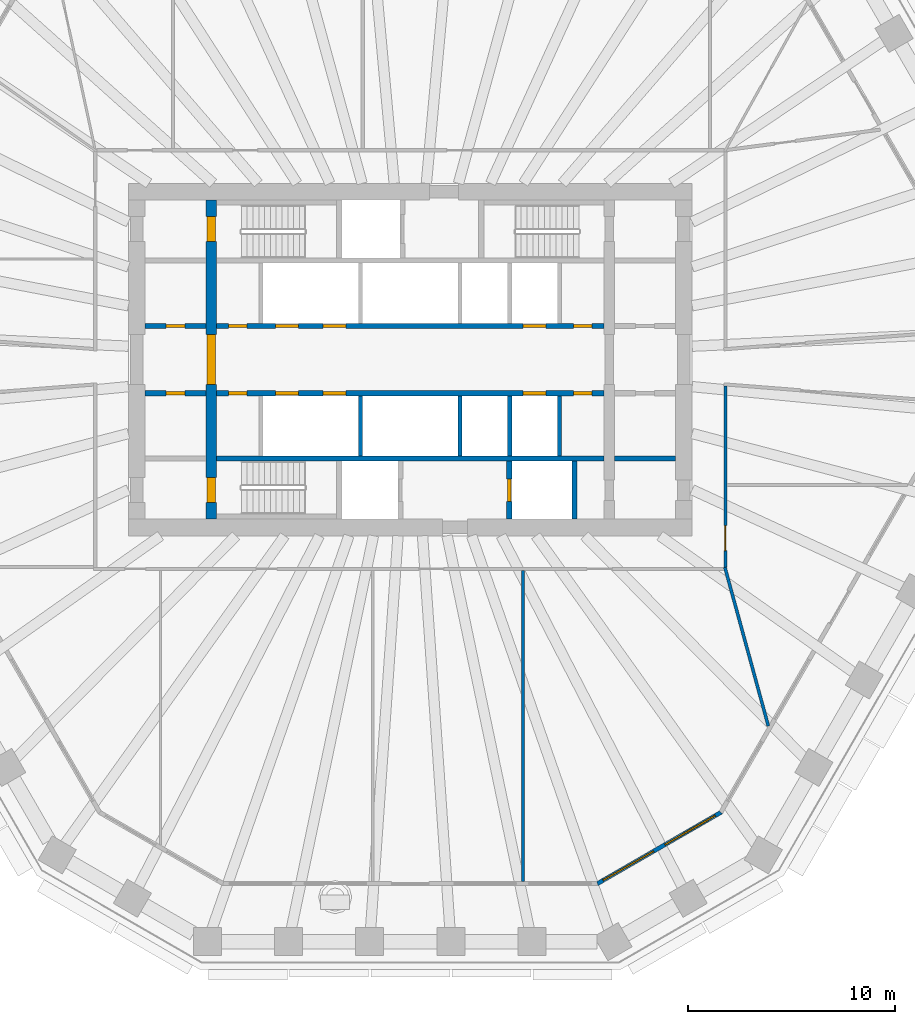
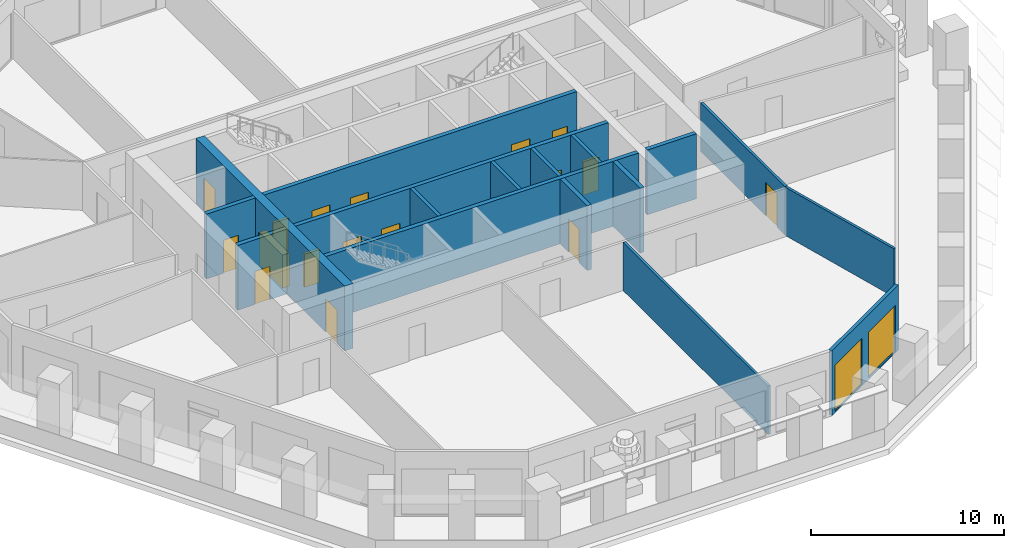
# One storey, part 4 of 12: 17 doors, 17 walls, 2 windows, 19 openings.
"""IFC4 building model written with IfcOpenShell, lengths in metres."""

from ifc_helpers import new_model, si_unit, direction, frame, frame_2d, origin, place, context, subcontext, project, spatial, polyline, rectangle, outline, extrude, material, layer, layer_set, type_object, element, fill, save


model = new_model("IFC4")

# Units and contexts
model_context = context("Model", 3, precision=1e-05, world=origin(), true_north=direction((0.0, 1.0)))
body_context = subcontext(model_context, "Body", "Model", "MODEL_VIEW")
ifc_project = project(units=[si_unit("LENGTHUNIT", "METRE"), si_unit("AREAUNIT", "SQUARE_METRE"), si_unit("VOLUMEUNIT", "CUBIC_METRE"), si_unit("PLANEANGLEUNIT", "RADIAN"), si_unit("MASSUNIT", "GRAM", prefix="KILO")], contexts=[model_context])

# Site, building, storey
site_placement = place(None, origin())
site = spatial("IfcSite", under=ifc_project, at=site_placement, CompositionType="ELEMENT")
building_placement = place(site_placement, origin())
building = spatial("IfcBuilding", under=site, at=building_placement, Name="Frailejon Research Tower", CompositionType="ELEMENT")
storey_placement = place(building_placement, frame((0.0, 0.0, 126.39990234375)))
storey = spatial("IfcBuildingStorey", under=building, at=storey_placement, Name="L27", CompositionType="ELEMENT", Elevation=126.39990234375)

# Wall, openings, doors
ifc_material_1 = material(Name="Concrete C70/85", Category="concrete")
ifc_layer_1 = layer(ifc_material_1, 0.5)
ifc_layer_set_1 = layer_set([ifc_layer_1], Name="Core shear wall 500 C70/85")
wall_type_1 = type_object("IfcWallType", Name="Core shear wall 500 C70/85", PredefinedType="SHEAR", material=ifc_layer_set_1)
wall_1_placement = place(storey_placement, frame((-9.60009765625, -7.699951171875, 0.0), z_axis=(0.0, 0.0, 1.0), x_axis=(0.0, 1.0, 0.0)))
wall_1 = element("IfcWall", 1, at=wall_1_placement, inside=storey, type_object=wall_type_1, Name="Core shear wall", PredefinedType="SHEAR", context=body_context, shape_type="SweptSolid", body=[
    extrude(rectangle(XDim=15.39990234375, YDim=0.5, at=frame_2d((7.699951171875, 0.0))), origin(), (0.0, 0.0, 1.0), 4.10009765625),
])
opening_1_placement = place(wall_1_placement, frame((6.5, 0.0, 0.0)))
opening_1 = element("IfcOpeningElement", 2, at=opening_1_placement, cuts=wall_1, Name="Opening D2", PredefinedType="OPENING", context=body_context, shape_type="SweptSolid", body=[
    extrude(rectangle(XDim=2.39990234375, YDim=2.10009765625, at=frame_2d((1.199951171875, 1.050048828125))), frame((0.0, 0.260009765625, 0.0), z_axis=(0.0, -1.0, 0.0), x_axis=(1.0, 0.0, 0.0)), (0.0, 0.0, 1.0), 0.52001953125),
])
opening_2_placement = place(wall_1_placement, frame((13.39990234375, 0.0, 0.0)))
opening_2 = element("IfcOpeningElement", 3, at=opening_2_placement, cuts=wall_1, Name="Opening D1", PredefinedType="OPENING", context=body_context, shape_type="SweptSolid", body=[
    extrude(rectangle(XDim=1.199951171875, YDim=2.10009765625, at=frame_2d((0.60009765625, 1.050048828125))), frame((0.0, 0.260009765625, 0.0), z_axis=(0.0, -1.0, 0.0), x_axis=(1.0, 0.0, 0.0)), (0.0, 0.0, 1.0), 0.52001953125),
])
opening_3_placement = place(wall_1_placement, frame((0.800048828125, 0.0, 0.0)))
opening_3 = element("IfcOpeningElement", 4, at=opening_3_placement, cuts=wall_1, Name="Opening D1", PredefinedType="OPENING", context=body_context, shape_type="SweptSolid", body=[
    extrude(rectangle(XDim=1.199951171875, YDim=2.10009765625, at=frame_2d((0.60009765625, 1.050048828125))), frame((0.0, 0.260009765625, 0.0), z_axis=(0.0, -1.0, 0.0), x_axis=(1.0, 0.0, 0.0)), (0.0, 0.0, 1.0), 0.52001953125),
])
ifc_material_2 = material(Name="Steel", Category="steel")
door_type_1 = type_object("IfcDoorType", Name="Lobby double door", OperationType="DOUBLE_DOOR_SINGLE_SWING", PredefinedType="DOOR", material=ifc_material_2)
door_1_placement = place(opening_1_placement, origin())
door_1 = element("IfcDoor", 5, at=door_1_placement, inside=storey, type_object=door_type_1, Name="Lobby door", OperationType="DOUBLE_DOOR_SINGLE_SWING", OverallHeight=2.10009765625, OverallWidth=2.39990234375, PredefinedType="DOOR", context=body_context, shape_type="SweptSolid", body=[
    extrude(rectangle(XDim=2.39990234375, YDim=2.10009765625, at=frame_2d((1.199951171875, 1.050048828125))), frame((0.0, 0.199951171875, 0.0), z_axis=(0.0, -1.0, 0.0), x_axis=(1.0, 0.0, 0.0)), (0.0, 0.0, 1.0), 0.39990234375),
])
fill(opening_1, door_1)
ifc_material_3 = material(Name="Steel", Category="steel")
door_type_2 = type_object("IfcDoorType", Name="Stair door", OperationType="SINGLE_SWING_LEFT", PredefinedType="DOOR", material=ifc_material_3)
door_2_placement = place(opening_2_placement, origin())
door_2 = element("IfcDoor", 6, at=door_2_placement, inside=storey, type_object=door_type_2, Name="Stair door ST1", OperationType="SINGLE_SWING_RIGHT", OverallHeight=2.10009765625, OverallWidth=1.199951171875, PredefinedType="DOOR", context=body_context, shape_type="SweptSolid", body=[
    extrude(rectangle(XDim=1.199951171875, YDim=2.10009765625, at=frame_2d((0.60009765625, 1.050048828125))), frame((0.0, 0.199951171875, 0.0), z_axis=(0.0, -1.0, 0.0), x_axis=(1.0, 0.0, 0.0)), (0.0, 0.0, 1.0), 0.39990234375),
])
fill(opening_2, door_2)
door_3_placement = place(opening_3_placement, origin())
door_3 = element("IfcDoor", 7, at=door_3_placement, inside=storey, type_object=door_type_2, Name="Stair door ST2", OperationType="SINGLE_SWING_RIGHT", OverallHeight=2.10009765625, OverallWidth=1.199951171875, PredefinedType="DOOR", context=body_context, shape_type="SweptSolid", body=[
    extrude(rectangle(XDim=1.199951171875, YDim=2.10009765625, at=frame_2d((0.60009765625, 1.050048828125))), frame((0.0, 0.199951171875, 0.0), z_axis=(0.0, -1.0, 0.0), x_axis=(1.0, 0.0, 0.0)), (0.0, 0.0, 1.0), 0.39990234375),
])
fill(opening_3, door_3)

# Wall, opening, door
ifc_material_4 = material(Name="Gypsum board and masonry partition", Category="masonry")
ifc_layer_2 = layer(ifc_material_4, 0.14990234375)
ifc_layer_set_2 = layer_set([ifc_layer_2], Name="Corridor wall EI 60, gypsum on steel studs 150")
wall_type_2 = type_object("IfcWallType", Name="Corridor wall EI 60, gypsum on steel studs 150", PredefinedType="PARTITIONING", material=ifc_layer_set_2)
wall_2_placement = place(storey_placement, frame((15.199951171875, -10.02490234375, 0.0), z_axis=(0.0, 0.0, 1.0), x_axis=(0.0, 1.0, 0.0)))
wall_2 = element("IfcWall", 8, at=wall_2_placement, inside=storey, type_object=wall_type_2, Name="T:IW:L27:003", PredefinedType="PARTITIONING", context=body_context, shape_type="SweptSolid", body=[
    extrude(rectangle(XDim=8.75048828125, YDim=0.14990234375, at=frame_2d((4.375244140625, 0.0))), origin(), (0.0, 0.0, 1.0), 3.050048828125),
])
opening_4_placement = place(wall_2_placement, frame((0.812744140625, 0.0, 0.0)))
opening_4 = element("IfcOpeningElement", 9, at=opening_4_placement, cuts=wall_2, Name="Opening D1661", PredefinedType="OPENING", context=body_context, shape_type="SweptSolid", body=[
    extrude(rectangle(XDim=1.199951171875, YDim=2.10009765625, at=frame_2d((0.60009765625, 1.050048828125))), frame((0.0, 0.0849609375, 0.0), z_axis=(0.0, -1.0, 0.0), x_axis=(1.0, 0.0, 0.0)), (0.0, 0.0, 1.0), 0.169921875),
])
ifc_material_5 = material(Name="Timber door leaf", Category="wood")
door_type_3 = type_object("IfcDoorType", Name="Door laboratory, timber, vision panel 1200", OperationType="NOTDEFINED", PredefinedType="DOOR", material=ifc_material_5)
door_4_placement = place(opening_4_placement, origin())
door_4 = element("IfcDoor", 10, at=door_4_placement, inside=storey, type_object=door_type_3, Name="D1661", OperationType="DOUBLE_DOOR_SINGLE_SWING", OverallHeight=2.10009765625, OverallWidth=1.199951171875, PredefinedType="DOOR", context=body_context, shape_type="SweptSolid", body=[
    extrude(rectangle(XDim=1.199951171875, YDim=2.10009765625, at=frame_2d((0.60009765625, 1.050048828125))), frame((0.0, 0.02490234375, 0.0), z_axis=(0.0, -1.0, 0.0), x_axis=(1.0, 0.0, 0.0)), (0.0, 0.0, 1.0), 0.050048828125),
])
fill(opening_4, door_4)

# Walls
ifc_material_6 = material(Name="Gypsum board and masonry partition", Category="masonry")
ifc_layer_3 = layer(ifc_material_6, 0.14990234375)
ifc_layer_set_3 = layer_set([ifc_layer_3], Name="Laboratory partition, blockwork 150")
wall_type_3 = type_object("IfcWallType", Name="Laboratory partition, blockwork 150", PredefinedType="PARTITIONING", material=ifc_layer_set_3)
wall_3_placement = place(storey_placement, frame((5.434814453125, -25.182861328125, 0.0), z_axis=(0.0, 0.0, 1.0), x_axis=(0.0, 1.0, 0.0)))
element("IfcWall", 11, at=wall_3_placement, inside=storey, type_object=wall_type_3, Name="T:IW:L27:016", PredefinedType="PARTITIONING", context=body_context, shape_type="SweptSolid", body=[
    extrude(rectangle(XDim=15.0078125, YDim=0.14990234375, at=frame_2d((7.50390625, 0.0))), origin(), (0.0, 0.0, 1.0), 3.050048828125),
])
wall_4_placement = place(storey_placement, frame((15.18017578125, -10.027587890625, 0.0), z_axis=(0.0, 0.0, 1.0), x_axis=(0.263973985393, -0.964529799973, 0.0)))
element("IfcWall", 12, at=wall_4_placement, inside=storey, type_object=wall_type_3, Name="T:IW:L27:017", PredefinedType="PARTITIONING", context=body_context, shape_type="SweptSolid", body=[
    extrude(rectangle(XDim=7.93359375, YDim=0.14990234375, at=frame_2d((3.966796875, 0.0))), origin(), (0.0, 0.0, 1.0), 3.050048828125),
])
ifc_material_7 = material(Name="Concrete C70/85", Category="concrete")
ifc_layer_4 = layer(ifc_material_7, 0.199951171875)
ifc_layer_set_4 = layer_set([ifc_layer_4], Name="Shaft wall 200 C70/85")
wall_type_4 = type_object("IfcWallType", Name="Shaft wall 200 C70/85", PredefinedType="SOLIDWALL", material=ifc_layer_set_4)
for number, where, z_axis, x_axis, name in (
    (13, (-2.39990234375, -4.64990234375, 0.0), (0.0, 0.0, 1.0), (0.0, 1.0, 0.0), "Shaft wall"),
    (14, (2.39990234375, -4.64990234375, 0.0), (0.0, 0.0, 1.0), (0.0, 1.0, 0.0), "Shaft wall"),
    (15, (4.800048828125, -4.64990234375, 0.0), (0.0, 0.0, 1.0), (0.0, 1.0, 0.0), "Shaft wall"),
    (16, (7.199951171875, -4.64990234375, 0.0), (0.0, 0.0, 1.0), (0.0, 1.0, 0.0), "Shaft wall"),
):
    element("IfcWall", number, at=place(storey_placement, frame(where, z_axis=z_axis, x_axis=x_axis)), inside=storey, type_object=wall_type_4, Name=name, PredefinedType="SOLIDWALL", context=body_context, shape_type="SweptSolid", body=[
        extrude(rectangle(XDim=2.89990234375, YDim=0.199951171875, at=frame_2d((1.449951171875, 0.0))), origin(), (0.0, 0.0, 1.0), 4.10009765625),
    ])

# Wall, opening, door
ifc_material_8 = material(Name="Concrete C70/85", Category="concrete")
ifc_layer_5 = layer(ifc_material_8, 0.25)
ifc_layer_set_5 = layer_set([ifc_layer_5], Name="Shaft wall 250 C70/85")
wall_type_5 = type_object("IfcWallType", Name="Shaft wall 250 C70/85", PredefinedType="SOLIDWALL", material=ifc_layer_set_5)
wall_5_placement = place(storey_placement, frame((-12.800048828125, 1.625, 0.0), z_axis=(0.0, 0.0, 1.0), x_axis=(1.0, 0.0, 0.0)))
wall_5 = element("IfcWall", 17, at=wall_5_placement, inside=storey, type_object=wall_type_5, Name="Shaft wall", PredefinedType="SOLIDWALL", context=body_context, shape_type="SweptSolid", body=[
    extrude(rectangle(XDim=2.949951171875, YDim=0.25, at=frame_2d((1.47509765625, 0.0))), origin(), (0.0, 0.0, 1.0), 4.10009765625),
])
opening_5_placement = place(wall_5_placement, frame((1.02490234375, 0.0, 0.0)))
opening_5 = element("IfcOpeningElement", 18, at=opening_5_placement, cuts=wall_5, Name="Opening D8", PredefinedType="OPENING", context=body_context, shape_type="SweptSolid", body=[
    extrude(rectangle(XDim=0.89990234375, YDim=2.10009765625, at=frame_2d((0.449951171875, 1.050048828125))), frame((0.0, 0.135009765625, 0.0), z_axis=(0.0, -1.0, 0.0), x_axis=(1.0, 0.0, 0.0)), (0.0, 0.0, 1.0), 0.27001953125),
])
ifc_material_9 = material(Name="Steel", Category="steel")
door_type_4 = type_object("IfcDoorType", Name="Core room door", OperationType="SINGLE_SWING_LEFT", PredefinedType="DOOR", material=ifc_material_9)
door_5_placement = place(opening_5_placement, origin())
door_5 = element("IfcDoor", 19, at=door_5_placement, inside=storey, type_object=door_type_4, Name="Room door", OperationType="SINGLE_SWING_RIGHT", OverallHeight=2.10009765625, OverallWidth=0.89990234375, PredefinedType="DOOR", context=body_context, shape_type="SweptSolid", body=[
    extrude(rectangle(XDim=0.89990234375, YDim=2.10009765625, at=frame_2d((0.449951171875, 1.050048828125))), frame((0.0, 0.074951171875, 0.0), z_axis=(0.0, -1.0, 0.0), x_axis=(1.0, 0.0, 0.0)), (0.0, 0.0, 1.0), 0.14990234375),
])
fill(opening_5, door_5)

# Wall, openings, doors
wall_6_placement = place(storey_placement, frame((-9.35009765625, 1.625, 0.0), z_axis=(0.0, 0.0, 1.0), x_axis=(1.0, 0.0, 0.0)))
wall_6 = element("IfcWall", 20, at=wall_6_placement, inside=storey, type_object=wall_type_5, Name="Shaft wall", PredefinedType="SOLIDWALL", context=body_context, shape_type="SweptSolid", body=[
    extrude(rectangle(XDim=18.7001953125, YDim=0.25, at=frame_2d((9.35009765625, 0.0))), origin(), (0.0, 0.0, 1.0), 4.10009765625),
])
opening_6_placement = place(wall_6_placement, frame((2.85009765625, 0.0, 0.0)))
opening_6 = element("IfcOpeningElement", 21, at=opening_6_placement, cuts=wall_6, Name="Opening LD", PredefinedType="OPENING", context=body_context, shape_type="SweptSolid", body=[
    extrude(rectangle(XDim=1.10009765625, YDim=2.10009765625, at=frame_2d((0.550048828125, 1.050048828125))), frame((0.0, 0.135009765625, 0.0), z_axis=(0.0, -1.0, 0.0), x_axis=(1.0, 0.0, 0.0)), (0.0, 0.0, 1.0), 0.27001953125),
])
opening_7_placement = place(wall_6_placement, frame((5.14990234375, 0.0, 0.0)))
opening_7 = element("IfcOpeningElement", 22, at=opening_7_placement, cuts=wall_6, Name="Opening LD", PredefinedType="OPENING", context=body_context, shape_type="SweptSolid", body=[
    extrude(rectangle(XDim=1.10009765625, YDim=2.10009765625, at=frame_2d((0.550048828125, 1.050048828125))), frame((0.0, 0.135009765625, 0.0), z_axis=(0.0, -1.0, 0.0), x_axis=(1.0, 0.0, 0.0)), (0.0, 0.0, 1.0), 0.27001953125),
])
opening_8_placement = place(wall_6_placement, frame((14.800048828125, 0.0, 0.0)))
opening_8 = element("IfcOpeningElement", 23, at=opening_8_placement, cuts=wall_6, Name="Opening LD", PredefinedType="OPENING", context=body_context, shape_type="SweptSolid", body=[
    extrude(rectangle(XDim=1.10009765625, YDim=2.10009765625, at=frame_2d((0.550048828125, 1.050048828125))), frame((0.0, 0.135009765625, 0.0), z_axis=(0.0, -1.0, 0.0), x_axis=(1.0, 0.0, 0.0)), (0.0, 0.0, 1.0), 0.27001953125),
])
opening_9_placement = place(wall_6_placement, frame((0.574951171875, 0.0, 0.0)))
opening_9 = element("IfcOpeningElement", 24, at=opening_9_placement, cuts=wall_6, Name="Opening D8", PredefinedType="OPENING", context=body_context, shape_type="SweptSolid", body=[
    extrude(rectangle(XDim=0.89990234375, YDim=2.10009765625, at=frame_2d((0.449951171875, 1.050048828125))), frame((0.0, 0.135009765625, 0.0), z_axis=(0.0, -1.0, 0.0), x_axis=(1.0, 0.0, 0.0)), (0.0, 0.0, 1.0), 0.27001953125),
])
opening_10_placement = place(wall_6_placement, frame((17.22509765625, 0.0, 0.0)))
opening_10 = element("IfcOpeningElement", 25, at=opening_10_placement, cuts=wall_6, Name="Opening D8", PredefinedType="OPENING", context=body_context, shape_type="SweptSolid", body=[
    extrude(rectangle(XDim=0.89990234375, YDim=2.10009765625, at=frame_2d((0.449951171875, 1.050048828125))), frame((0.0, 0.135009765625, 0.0), z_axis=(0.0, -1.0, 0.0), x_axis=(1.0, 0.0, 0.0)), (0.0, 0.0, 1.0), 0.27001953125),
])
door_6_placement = place(opening_9_placement, origin())
door_6 = element("IfcDoor", 26, at=door_6_placement, inside=storey, type_object=door_type_4, Name="Room door", OperationType="SINGLE_SWING_LEFT", OverallHeight=2.10009765625, OverallWidth=0.89990234375, PredefinedType="DOOR", context=body_context, shape_type="SweptSolid", body=[
    extrude(rectangle(XDim=0.89990234375, YDim=2.10009765625, at=frame_2d((0.449951171875, 1.050048828125))), frame((0.0, 0.074951171875, 0.0), z_axis=(0.0, -1.0, 0.0), x_axis=(1.0, 0.0, 0.0)), (0.0, 0.0, 1.0), 0.14990234375),
])
fill(opening_9, door_6)
door_7_placement = place(opening_10_placement, origin())
door_7 = element("IfcDoor", 27, at=door_7_placement, inside=storey, type_object=door_type_4, Name="Room door", OperationType="SINGLE_SWING_RIGHT", OverallHeight=2.10009765625, OverallWidth=0.89990234375, PredefinedType="DOOR", context=body_context, shape_type="SweptSolid", body=[
    extrude(rectangle(XDim=0.89990234375, YDim=2.10009765625, at=frame_2d((0.449951171875, 1.050048828125))), frame((0.0, 0.074951171875, 0.0), z_axis=(0.0, -1.0, 0.0), x_axis=(1.0, 0.0, 0.0)), (0.0, 0.0, 1.0), 0.14990234375),
])
fill(opening_10, door_7)
ifc_material_10 = material(Name="Steel", Category="steel")
door_type_5 = type_object("IfcDoorType", Name="Lift landing door", OperationType="DOUBLE_DOOR_SLIDING", PredefinedType="DOOR", material=ifc_material_10)
door_8_placement = place(opening_6_placement, origin())
door_8 = element("IfcDoor", 28, at=door_8_placement, inside=storey, type_object=door_type_5, Name="Lift landing door", OperationType="DOUBLE_DOOR_SLIDING", OverallHeight=2.10009765625, OverallWidth=1.10009765625, PredefinedType="DOOR", context=body_context, shape_type="SweptSolid", body=[
    extrude(rectangle(XDim=1.10009765625, YDim=2.10009765625, at=frame_2d((0.550048828125, 1.050048828125))), frame((0.0, 0.074951171875, 0.0), z_axis=(0.0, -1.0, 0.0), x_axis=(1.0, 0.0, 0.0)), (0.0, 0.0, 1.0), 0.14990234375),
])
fill(opening_6, door_8)
door_9_placement = place(opening_7_placement, origin())
door_9 = element("IfcDoor", 29, at=door_9_placement, inside=storey, type_object=door_type_5, Name="Lift landing door", OperationType="DOUBLE_DOOR_SLIDING", OverallHeight=2.10009765625, OverallWidth=1.10009765625, PredefinedType="DOOR", context=body_context, shape_type="SweptSolid", body=[
    extrude(rectangle(XDim=1.10009765625, YDim=2.10009765625, at=frame_2d((0.550048828125, 1.050048828125))), frame((0.0, 0.074951171875, 0.0), z_axis=(0.0, -1.0, 0.0), x_axis=(1.0, 0.0, 0.0)), (0.0, 0.0, 1.0), 0.14990234375),
])
fill(opening_7, door_9)
door_10_placement = place(opening_8_placement, origin())
door_10 = element("IfcDoor", 30, at=door_10_placement, inside=storey, type_object=door_type_5, Name="Lift landing door", OperationType="DOUBLE_DOOR_SLIDING", OverallHeight=2.10009765625, OverallWidth=1.10009765625, PredefinedType="DOOR", context=body_context, shape_type="SweptSolid", body=[
    extrude(rectangle(XDim=1.10009765625, YDim=2.10009765625, at=frame_2d((0.550048828125, 1.050048828125))), frame((0.0, 0.074951171875, 0.0), z_axis=(0.0, -1.0, 0.0), x_axis=(1.0, 0.0, 0.0)), (0.0, 0.0, 1.0), 0.14990234375),
])
fill(opening_8, door_10)

# Wall, opening, door
wall_7_placement = place(storey_placement, frame((-12.800048828125, -1.625, 0.0), z_axis=(0.0, 0.0, 1.0), x_axis=(1.0, 0.0, 0.0)))
wall_7 = element("IfcWall", 31, at=wall_7_placement, inside=storey, type_object=wall_type_5, Name="Shaft wall", PredefinedType="SOLIDWALL", context=body_context, shape_type="SweptSolid", body=[
    extrude(rectangle(XDim=2.949951171875, YDim=0.25, at=frame_2d((1.47509765625, 0.0))), origin(), (0.0, 0.0, 1.0), 4.10009765625),
])
opening_11_placement = place(wall_7_placement, frame((1.02490234375, 0.0, 0.0)))
opening_11 = element("IfcOpeningElement", 32, at=opening_11_placement, cuts=wall_7, Name="Opening D8", PredefinedType="OPENING", context=body_context, shape_type="SweptSolid", body=[
    extrude(rectangle(XDim=0.89990234375, YDim=2.10009765625, at=frame_2d((0.449951171875, 1.050048828125))), frame((0.0, 0.135009765625, 0.0), z_axis=(0.0, -1.0, 0.0), x_axis=(1.0, 0.0, 0.0)), (0.0, 0.0, 1.0), 0.27001953125),
])
door_11_placement = place(opening_11_placement, origin())
door_11 = element("IfcDoor", 33, at=door_11_placement, inside=storey, type_object=door_type_4, Name="Room door", OperationType="SINGLE_SWING_RIGHT", OverallHeight=2.10009765625, OverallWidth=0.89990234375, PredefinedType="DOOR", context=body_context, shape_type="SweptSolid", body=[
    extrude(rectangle(XDim=0.89990234375, YDim=2.10009765625, at=frame_2d((0.449951171875, 1.050048828125))), frame((0.0, 0.074951171875, 0.0), z_axis=(0.0, -1.0, 0.0), x_axis=(1.0, 0.0, 0.0)), (0.0, 0.0, 1.0), 0.14990234375),
])
fill(opening_11, door_11)

# Wall, openings, doors
wall_8_placement = place(storey_placement, frame((-9.35009765625, -1.625, 0.0), z_axis=(0.0, 0.0, 1.0), x_axis=(1.0, 0.0, 0.0)))
wall_8 = element("IfcWall", 34, at=wall_8_placement, inside=storey, type_object=wall_type_5, Name="Shaft wall", PredefinedType="SOLIDWALL", context=body_context, shape_type="SweptSolid", body=[
    extrude(rectangle(XDim=18.7001953125, YDim=0.25, at=frame_2d((9.35009765625, 0.0))), origin(), (0.0, 0.0, 1.0), 4.10009765625),
])
opening_12_placement = place(wall_8_placement, frame((2.85009765625, 0.0, 0.0)))
opening_12 = element("IfcOpeningElement", 35, at=opening_12_placement, cuts=wall_8, Name="Opening LD", PredefinedType="OPENING", context=body_context, shape_type="SweptSolid", body=[
    extrude(rectangle(XDim=1.10009765625, YDim=2.10009765625, at=frame_2d((0.550048828125, 1.050048828125))), frame((0.0, 0.135009765625, 0.0), z_axis=(0.0, -1.0, 0.0), x_axis=(1.0, 0.0, 0.0)), (0.0, 0.0, 1.0), 0.27001953125),
])
opening_13_placement = place(wall_8_placement, frame((5.14990234375, 0.0, 0.0)))
opening_13 = element("IfcOpeningElement", 36, at=opening_13_placement, cuts=wall_8, Name="Opening LD", PredefinedType="OPENING", context=body_context, shape_type="SweptSolid", body=[
    extrude(rectangle(XDim=1.10009765625, YDim=2.10009765625, at=frame_2d((0.550048828125, 1.050048828125))), frame((0.0, 0.135009765625, 0.0), z_axis=(0.0, -1.0, 0.0), x_axis=(1.0, 0.0, 0.0)), (0.0, 0.0, 1.0), 0.27001953125),
])
opening_14_placement = place(wall_8_placement, frame((14.800048828125, 0.0, 0.0)))
opening_14 = element("IfcOpeningElement", 37, at=opening_14_placement, cuts=wall_8, Name="Opening LD", PredefinedType="OPENING", context=body_context, shape_type="SweptSolid", body=[
    extrude(rectangle(XDim=1.10009765625, YDim=2.10009765625, at=frame_2d((0.550048828125, 1.050048828125))), frame((0.0, 0.135009765625, 0.0), z_axis=(0.0, -1.0, 0.0), x_axis=(1.0, 0.0, 0.0)), (0.0, 0.0, 1.0), 0.27001953125),
])
opening_15_placement = place(wall_8_placement, frame((0.574951171875, 0.0, 0.0)))
opening_15 = element("IfcOpeningElement", 38, at=opening_15_placement, cuts=wall_8, Name="Opening D8", PredefinedType="OPENING", context=body_context, shape_type="SweptSolid", body=[
    extrude(rectangle(XDim=0.89990234375, YDim=2.10009765625, at=frame_2d((0.449951171875, 1.050048828125))), frame((0.0, 0.135009765625, 0.0), z_axis=(0.0, -1.0, 0.0), x_axis=(1.0, 0.0, 0.0)), (0.0, 0.0, 1.0), 0.27001953125),
])
opening_16_placement = place(wall_8_placement, frame((17.22509765625, 0.0, 0.0)))
opening_16 = element("IfcOpeningElement", 39, at=opening_16_placement, cuts=wall_8, Name="Opening D8", PredefinedType="OPENING", context=body_context, shape_type="SweptSolid", body=[
    extrude(rectangle(XDim=0.89990234375, YDim=2.10009765625, at=frame_2d((0.449951171875, 1.050048828125))), frame((0.0, 0.135009765625, 0.0), z_axis=(0.0, -1.0, 0.0), x_axis=(1.0, 0.0, 0.0)), (0.0, 0.0, 1.0), 0.27001953125),
])
door_12_placement = place(opening_15_placement, origin())
door_12 = element("IfcDoor", 40, at=door_12_placement, inside=storey, type_object=door_type_4, Name="Room door", OperationType="SINGLE_SWING_LEFT", OverallHeight=2.10009765625, OverallWidth=0.89990234375, PredefinedType="DOOR", context=body_context, shape_type="SweptSolid", body=[
    extrude(rectangle(XDim=0.89990234375, YDim=2.10009765625, at=frame_2d((0.449951171875, 1.050048828125))), frame((0.0, 0.074951171875, 0.0), z_axis=(0.0, -1.0, 0.0), x_axis=(1.0, 0.0, 0.0)), (0.0, 0.0, 1.0), 0.14990234375),
])
fill(opening_15, door_12)
door_13_placement = place(opening_16_placement, origin())
door_13 = element("IfcDoor", 41, at=door_13_placement, inside=storey, type_object=door_type_4, Name="Room door", OperationType="SINGLE_SWING_RIGHT", OverallHeight=2.10009765625, OverallWidth=0.89990234375, PredefinedType="DOOR", context=body_context, shape_type="SweptSolid", body=[
    extrude(rectangle(XDim=0.89990234375, YDim=2.10009765625, at=frame_2d((0.449951171875, 1.050048828125))), frame((0.0, 0.074951171875, 0.0), z_axis=(0.0, -1.0, 0.0), x_axis=(1.0, 0.0, 0.0)), (0.0, 0.0, 1.0), 0.14990234375),
])
fill(opening_16, door_13)
door_14_placement = place(opening_12_placement, origin())
door_14 = element("IfcDoor", 42, at=door_14_placement, inside=storey, type_object=door_type_5, Name="Lift landing door", OperationType="DOUBLE_DOOR_SLIDING", OverallHeight=2.10009765625, OverallWidth=1.10009765625, PredefinedType="DOOR", context=body_context, shape_type="SweptSolid", body=[
    extrude(rectangle(XDim=1.10009765625, YDim=2.10009765625, at=frame_2d((0.550048828125, 1.050048828125))), frame((0.0, 0.074951171875, 0.0), z_axis=(0.0, -1.0, 0.0), x_axis=(1.0, 0.0, 0.0)), (0.0, 0.0, 1.0), 0.14990234375),
])
fill(opening_12, door_14)
door_15_placement = place(opening_13_placement, origin())
door_15 = element("IfcDoor", 43, at=door_15_placement, inside=storey, type_object=door_type_5, Name="Lift landing door", OperationType="DOUBLE_DOOR_SLIDING", OverallHeight=2.10009765625, OverallWidth=1.10009765625, PredefinedType="DOOR", context=body_context, shape_type="SweptSolid", body=[
    extrude(rectangle(XDim=1.10009765625, YDim=2.10009765625, at=frame_2d((0.550048828125, 1.050048828125))), frame((0.0, 0.074951171875, 0.0), z_axis=(0.0, -1.0, 0.0), x_axis=(1.0, 0.0, 0.0)), (0.0, 0.0, 1.0), 0.14990234375),
])
fill(opening_13, door_15)
door_16_placement = place(opening_14_placement, origin())
door_16 = element("IfcDoor", 44, at=door_16_placement, inside=storey, type_object=door_type_5, Name="Lift landing door", OperationType="DOUBLE_DOOR_SLIDING", OverallHeight=2.10009765625, OverallWidth=1.10009765625, PredefinedType="DOOR", context=body_context, shape_type="SweptSolid", body=[
    extrude(rectangle(XDim=1.10009765625, YDim=2.10009765625, at=frame_2d((0.550048828125, 1.050048828125))), frame((0.0, 0.074951171875, 0.0), z_axis=(0.0, -1.0, 0.0), x_axis=(1.0, 0.0, 0.0)), (0.0, 0.0, 1.0), 0.14990234375),
])
fill(opening_14, door_16)

# Walls
wall_9_placement = place(storey_placement, frame((-9.35009765625, -4.77490234375, 0.0), z_axis=(0.0, 0.0, 1.0), x_axis=(1.0, 0.0, 0.0)))
element("IfcWall", 45, at=wall_9_placement, inside=storey, type_object=wall_type_5, Name="Shaft wall", PredefinedType="SOLIDWALL", context=body_context, shape_type="SweptSolid", body=[
    extrude(rectangle(XDim=18.7001953125, YDim=0.25, at=frame_2d((9.35009765625, 0.0))), origin(), (0.0, 0.0, 1.0), 4.10009765625),
])
wall_10_placement = place(storey_placement, frame((9.85009765625, -4.77490234375, 0.0), z_axis=(0.0, 0.0, 1.0), x_axis=(1.0, 0.0, 0.0)))
element("IfcWall", 46, at=wall_10_placement, inside=storey, type_object=wall_type_5, Name="Shaft wall", PredefinedType="SOLIDWALL", context=body_context, shape_type="SweptSolid", body=[
    extrude(rectangle(XDim=2.949951171875, YDim=0.25, at=frame_2d((1.47509765625, 0.0))), origin(), (0.0, 0.0, 1.0), 4.10009765625),
])

# Wall, opening, door
wall_11_placement = place(storey_placement, frame((4.77490234375, -7.699951171875, 0.0), z_axis=(0.0, 0.0, 1.0), x_axis=(0.0, 1.0, 0.0)))
wall_11 = element("IfcWall", 47, at=wall_11_placement, inside=storey, type_object=wall_type_5, Name="Shaft wall", PredefinedType="SOLIDWALL", context=body_context, shape_type="SweptSolid", body=[
    extrude(rectangle(XDim=2.800048828125, YDim=0.25, at=frame_2d((1.39990234375, 0.0))), origin(), (0.0, 0.0, 1.0), 4.10009765625),
])
opening_17_placement = place(wall_11_placement, frame((0.85009765625, 0.0, 0.0)))
opening_17 = element("IfcOpeningElement", 48, at=opening_17_placement, cuts=wall_11, Name="Opening LD", PredefinedType="OPENING", context=body_context, shape_type="SweptSolid", body=[
    extrude(rectangle(XDim=1.10009765625, YDim=2.10009765625, at=frame_2d((0.550048828125, 1.050048828125))), frame((0.0, 0.135009765625, 0.0), z_axis=(0.0, -1.0, 0.0), x_axis=(1.0, 0.0, 0.0)), (0.0, 0.0, 1.0), 0.27001953125),
])
door_17_placement = place(opening_17_placement, origin())
door_17 = element("IfcDoor", 49, at=door_17_placement, inside=storey, type_object=door_type_5, Name="Lift landing door", OperationType="DOUBLE_DOOR_SLIDING", OverallHeight=2.10009765625, OverallWidth=1.10009765625, PredefinedType="DOOR", context=body_context, shape_type="SweptSolid", body=[
    extrude(rectangle(XDim=1.10009765625, YDim=2.10009765625, at=frame_2d((0.550048828125, 1.050048828125))), frame((0.0, 0.074951171875, 0.0), z_axis=(0.0, -1.0, 0.0), x_axis=(1.0, 0.0, 0.0)), (0.0, 0.0, 1.0), 0.14990234375),
])
fill(opening_17, door_17)

# Wall
wall_12_placement = place(storey_placement, frame((7.925048828125, -7.699951171875, 0.0), z_axis=(0.0, 0.0, 1.0), x_axis=(0.0, 1.0, 0.0)))
element("IfcWall", 50, at=wall_12_placement, inside=storey, type_object=wall_type_5, Name="Shaft wall", PredefinedType="SOLIDWALL", context=body_context, shape_type="SweptSolid", body=[
    extrude(rectangle(XDim=2.800048828125, YDim=0.25, at=frame_2d((1.39990234375, 0.0))), origin(), (0.0, 0.0, 1.0), 4.10009765625),
])

# Wall, openings, windows
ifc_material_11 = material(Name="Concrete C40/50 precast window wall panel", Category="concrete")
ifc_layer_6 = layer(ifc_material_11, 0.199951171875)
ifc_layer_set_6 = layer_set([ifc_layer_6], Name="Window wall 200")
wall_type_6 = type_object("IfcWallType", Name="Window wall 200", PredefinedType="SOLIDWALL", material=ifc_layer_set_6)
wall_13_placement = place(storey_placement, frame((9.03125, -25.28271484375, 0.0), z_axis=(0.0, 0.0, 1.0), x_axis=(0.866029458321, 0.49999297727, 0.0)))
wall_13 = element("IfcWall", 51, at=wall_13_placement, inside=storey, type_object=wall_type_6, Name="Exterior wall L27", PredefinedType="SOLIDWALL", context=body_context, shape_type="SweptSolid", body=[
    extrude(outline(polyline([(-0.02685546875, -0.10009765625), (1.1279296875, -0.10009765625), (2.282470703125, -0.10009765625), (3.437255859375, -0.10009765625), (4.592041015625, -0.10009765625), (5.74658203125, -0.10009765625), (6.9013671875, -0.10009765625), (6.84765625, 0.10009765625), (5.7109375, 0.10009765625), (4.573974609375, 0.10009765625), (3.437255859375, 0.10009765625), (2.300537109375, 0.10009765625), (1.16357421875, 0.10009765625), (0.02685546875, 0.10009765625), (-0.02685546875, -0.10009765625)])), origin(), (0.0, 0.0, 1.0), 4.10009765625),
])
opening_18_placement = place(wall_13_placement, frame((0.318603515625, 0.0, 0.10009765625)))
opening_18 = element("IfcOpeningElement", 52, at=opening_18_placement, cuts=wall_13, Name="Opening W3", PredefinedType="OPENING", context=body_context, shape_type="SweptSolid", body=[
    extrude(rectangle(XDim=2.800048828125, YDim=2.89990234375, at=frame_2d((1.39990234375, 1.449951171875))), frame((0.0, 0.10986328125, 0.0), z_axis=(0.0, -1.0, 0.0), x_axis=(1.0, 0.0, 0.0)), (0.0, 0.0, 1.0), 0.219970703125),
])
opening_19_placement = place(wall_13_placement, frame((3.756103515625, 0.0, 0.10009765625)))
opening_19 = element("IfcOpeningElement", 53, at=opening_19_placement, cuts=wall_13, Name="Opening W3", PredefinedType="OPENING", context=body_context, shape_type="SweptSolid", body=[
    extrude(rectangle(XDim=2.800048828125, YDim=2.89990234375, at=frame_2d((1.39990234375, 1.449951171875))), frame((0.0, 0.10986328125, 0.0), z_axis=(0.0, -1.0, 0.0), x_axis=(1.0, 0.0, 0.0)), (0.0, 0.0, 1.0), 0.219970703125),
])
ifc_material_12 = material(Name="Aluminium framed double glazing", Category="aluminium")
window_type = type_object("IfcWindowType", Name="Window 2800x2900", PartitioningType="SINGLE_PANEL", PredefinedType="WINDOW", material=ifc_material_12)
window_1_placement = place(opening_18_placement, origin())
window_1 = element("IfcWindow", 54, at=window_1_placement, inside=storey, type_object=window_type, Name="Window L27", OverallHeight=2.89990234375, OverallWidth=2.800048828125, PartitioningType="SINGLE_PANEL", PredefinedType="WINDOW", context=body_context, shape_type="SweptSolid", body=[
    extrude(rectangle(XDim=2.800048828125, YDim=2.89990234375, at=frame_2d((1.39990234375, 1.449951171875))), frame((0.0, 0.030029296875, 0.0), z_axis=(0.0, -1.0, 0.0), x_axis=(1.0, 0.0, 0.0)), (0.0, 0.0, 1.0), 0.06005859375),
])
fill(opening_18, window_1)
window_2_placement = place(opening_19_placement, origin())
window_2 = element("IfcWindow", 55, at=window_2_placement, inside=storey, type_object=window_type, Name="Window L27", OverallHeight=2.89990234375, OverallWidth=2.800048828125, PartitioningType="SINGLE_PANEL", PredefinedType="WINDOW", context=body_context, shape_type="SweptSolid", body=[
    extrude(rectangle(XDim=2.800048828125, YDim=2.89990234375, at=frame_2d((1.39990234375, 1.449951171875))), frame((0.0, 0.030029296875, 0.0), z_axis=(0.0, -1.0, 0.0), x_axis=(1.0, 0.0, 0.0)), (0.0, 0.0, 1.0), 0.06005859375),
])
fill(opening_19, window_2)

save(model, "model.ifc")
